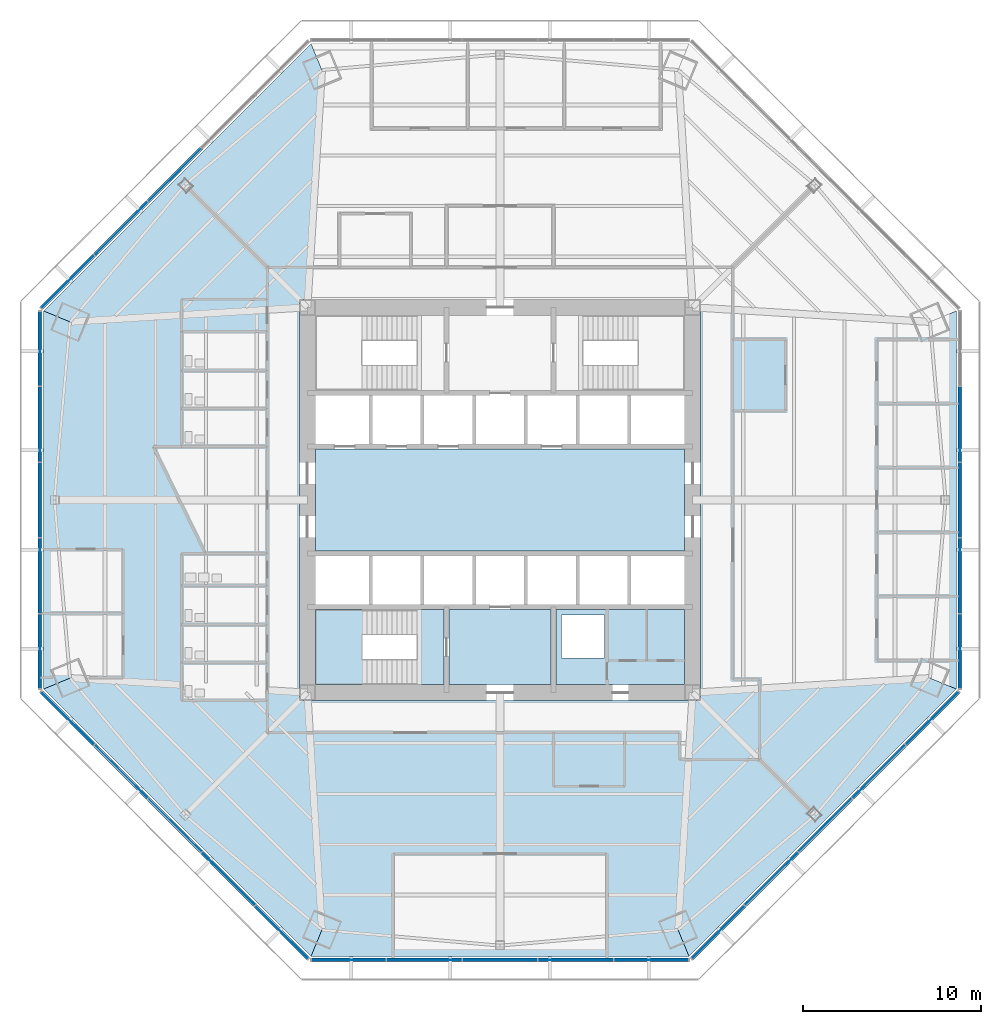
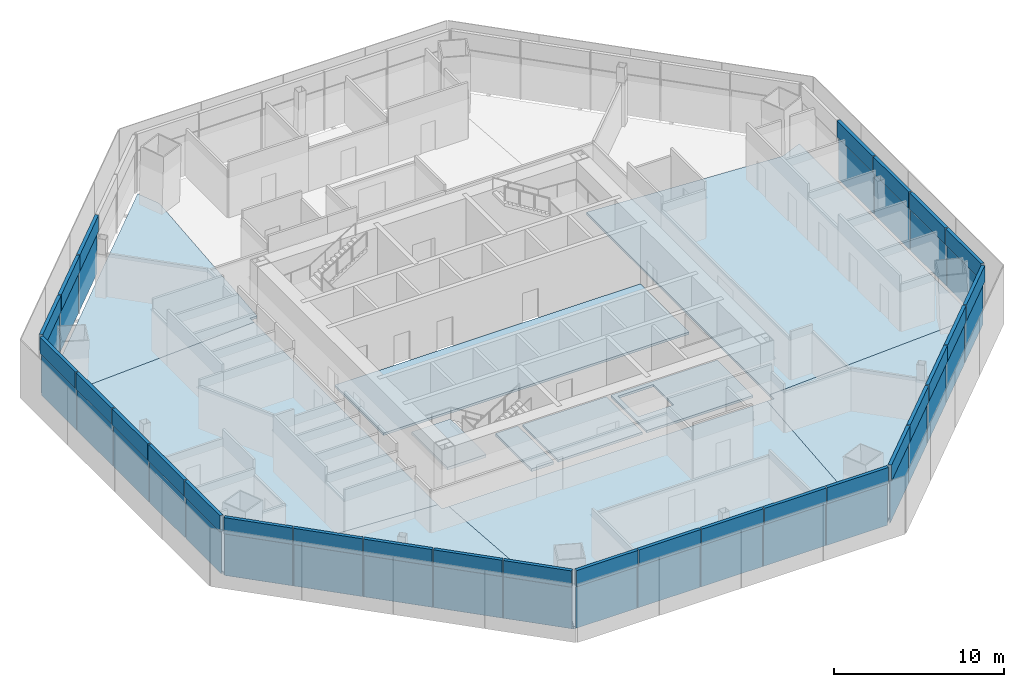
# One storey, part 8 of 16: 54 plates, 11 slabs, 7 elements without a shape of their own.
"""IFC4 building model written with IfcOpenShell, lengths in metres."""

from ifc_helpers import new_model, si_unit, direction, frame, origin, origin_2d, place, context, subcontext, project, spatial, polyline, rectangle, outline, extrude, source, transform, mapped, material, layer, layer_set, type_object, type_shapes, element, aggregate, save


model = new_model("IFC4")

# Units and contexts
model_context = context("Model", 3, precision=1e-05, world=origin(), true_north=direction((0.0, 1.0)))
body_context = subcontext(model_context, "Body", "Model", "MODEL_VIEW")
ifc_project = project(units=[si_unit("LENGTHUNIT", "METRE"), si_unit("AREAUNIT", "SQUARE_METRE"), si_unit("VOLUMEUNIT", "CUBIC_METRE"), si_unit("PLANEANGLEUNIT", "RADIAN"), si_unit("MASSUNIT", "GRAM", prefix="KILO")], contexts=[model_context])

# Site, building, storey
site_placement = place(None, origin())
site = spatial("IfcSite", under=ifc_project, at=site_placement, CompositionType="ELEMENT")
building_placement = place(site_placement, origin())
building = spatial("IfcBuilding", under=site, at=building_placement, Name="Mashrafa Tower", CompositionType="ELEMENT")
storey_placement = place(building_placement, frame((0.0, 0.0, 79.199951171875)))
storey = spatial("IfcBuildingStorey", under=building, at=storey_placement, Name="L17", CompositionType="ELEMENT", Elevation=79.199951171875)

# Slabs
ifc_material_1 = material(Name="Concrete C35/45", Category="concrete")
ifc_layer_1 = layer(ifc_material_1, 0.1650390625)
ifc_layer_set_1 = layer_set([ifc_layer_1], Name="Floor slab 165")
slab_type_1 = type_object("IfcSlabType", Name="Floor slab 165", PredefinedType="FLOOR", material=ifc_layer_set_1)
slab_1_placement = place(storey_placement, frame((0.0, 0.0, -0.1650390625)))
element("IfcSlab", 1, at=slab_1_placement, inside=storey, type_object=slab_type_1, Name="Floor slab L17 east bay", PredefinedType="FLOOR", context=body_context, shape_type="SweptSolid", body=[
    extrude(outline(polyline([(25.57421875, -10.59326171875), (24.1005859375, -9.98291015625), (11.25, -10.7724609375), (11.25, 10.7724609375), (24.1005859375, 9.98291015625), (25.57421875, 10.59326171875), (25.57421875, -10.59326171875)])), origin(), (0.0, 0.0, 1.0), 0.1650390625),
])
slab_2_placement = place(storey_placement, frame((0.0, 0.0, -0.1650390625)))
element("IfcSlab", 2, at=slab_2_placement, inside=storey, type_object=slab_type_1, Name="Floor slab L17 north-west bay", PredefinedType="FLOOR", context=body_context, shape_type="SweptSolid", body=[
    extrude(outline(polyline([(-25.57421875, 10.59326171875), (-10.59326171875, 25.57421875), (-10.59326171875, 25.57421875), (-9.98291015625, 24.1005859375), (-10.7724609375, 11.25), (-11.25, 11.25), (-11.25, 10.7724609375), (-24.1005859375, 9.98291015625), (-25.57421875, 10.59326171875), (-25.57421875, 10.59326171875)])), origin(), (0.0, 0.0, 1.0), 0.1650390625),
])
slab_3_placement = place(storey_placement, frame((0.0, 0.0, -0.1650390625)))
element("IfcSlab", 3, at=slab_3_placement, inside=storey, type_object=slab_type_1, Name="Floor slab L17 west bay", PredefinedType="FLOOR", context=body_context, shape_type="SweptSolid", body=[
    extrude(outline(polyline([(-25.57421875, 10.59326171875), (-24.1005859375, 9.98291015625), (-11.25, 10.7724609375), (-11.25, -10.7724609375), (-24.1005859375, -9.98291015625), (-25.57421875, -10.59326171875), (-25.57421875, 10.59326171875)])), origin(), (0.0, 0.0, 1.0), 0.1650390625),
])
slab_4_placement = place(storey_placement, frame((0.0, 0.0, -0.1650390625)))
element("IfcSlab", 4, at=slab_4_placement, inside=storey, type_object=slab_type_1, Name="Floor slab L17 south-west bay", PredefinedType="FLOOR", context=body_context, shape_type="SweptSolid", body=[
    extrude(outline(polyline([(-10.59326171875, -25.57421875), (-25.57421875, -10.59326171875), (-25.57421875, -10.59326171875), (-24.1005859375, -9.98291015625), (-11.25, -10.7724609375), (-11.25, -11.25), (-10.7724609375, -11.25), (-9.98291015625, -24.1005859375), (-10.59326171875, -25.57421875), (-10.59326171875, -25.57421875)])), origin(), (0.0, 0.0, 1.0), 0.1650390625),
])
slab_5_placement = place(storey_placement, frame((0.0, 0.0, -0.1650390625)))
element("IfcSlab", 5, at=slab_5_placement, inside=storey, type_object=slab_type_1, Name="Floor slab L17 south bay", PredefinedType="FLOOR", context=body_context, shape_type="SweptSolid", body=[
    extrude(outline(polyline([(-10.59326171875, -25.57421875), (-9.98291015625, -24.1005859375), (-10.7724609375, -11.25), (10.7724609375, -11.25), (9.98291015625, -24.1005859375), (10.59326171875, -25.57421875), (-10.59326171875, -25.57421875)])), origin(), (0.0, 0.0, 1.0), 0.1650390625),
])
slab_6_placement = place(storey_placement, frame((0.0, 0.0, -0.1650390625)))
element("IfcSlab", 6, at=slab_6_placement, inside=storey, type_object=slab_type_1, Name="Floor slab L17 south-east bay", PredefinedType="FLOOR", context=body_context, shape_type="SweptSolid", body=[
    extrude(outline(polyline([(10.59326171875, -25.57421875), (9.98291015625, -24.1005859375), (10.7724609375, -11.25), (11.25, -11.25), (11.25, -10.7724609375), (24.1005859375, -9.98291015625), (25.57421875, -10.59326171875), (25.57421875, -10.59326171875), (10.59326171875, -25.57421875), (10.59326171875, -25.57421875)])), origin(), (0.0, 0.0, 1.0), 0.1650390625),
])
slab_7_placement = place(storey_placement, frame((0.0, 0.0, -0.1650390625)))
element("IfcSlab", 7, at=slab_7_placement, inside=storey, type_object=slab_type_1, Name="Core floor lift hall L17", PredefinedType="FLOOR", context=body_context, shape_type="SweptSolid", body=[
    extrude(outline(polyline([(-10.35009765625, 2.85009765625), (10.35009765625, 2.85009765625), (10.35009765625, -2.85009765625), (-10.35009765625, -2.85009765625), (-10.35009765625, 2.85009765625)])), origin(), (0.0, 0.0, 1.0), 0.1650390625),
])
slab_8_placement = place(storey_placement, frame((0.0, 0.0, -0.1650390625)))
element("IfcSlab", 8, at=slab_8_placement, inside=storey, type_object=slab_type_1, Name="Core floor riser and electrical band L17", PredefinedType="FLOOR", context=body_context, shape_type="SweptSolid", body=[
    extrude(outline(polyline([(10.35009765625, -6.14990234375), (10.35009765625, -10.35009765625), (3.14990234375, -10.35009765625), (3.14990234375, -6.14990234375), (10.35009765625, -6.14990234375)]), holes=[polyline([(3.449951171875, -8.85009765625), (5.85009765625, -8.85009765625), (5.85009765625, -6.449951171875), (3.449951171875, -6.449951171875), (3.449951171875, -8.85009765625)])]), origin(), (0.0, 0.0, 1.0), 0.1650390625),
])
slab_9_placement = place(storey_placement, frame((0.0, 0.0, -0.1650390625)))
element("IfcSlab", 9, at=slab_9_placement, inside=storey, type_object=slab_type_1, Name="Core floor fire-fighting lobby south L17", PredefinedType="FLOOR", context=body_context, shape_type="SweptSolid", body=[
    extrude(outline(polyline([(2.85009765625, -6.14990234375), (2.85009765625, -10.35009765625), (-2.85009765625, -10.35009765625), (-2.85009765625, -6.14990234375), (2.85009765625, -6.14990234375)])), origin(), (0.0, 0.0, 1.0), 0.1650390625),
])

# Stair, slabs
ifc_material_2 = material(Name="Exit stair 1400")
stair_type = type_object("IfcStairType", Name="Exit stair 1400", PredefinedType="HALF_TURN_STAIR", material=ifc_material_2)
stair_placement = place(storey_placement, origin())
stair = element("IfcStair", 10, at=stair_placement, inside=storey, type_object=stair_type, Name="Stair S3 L17", PredefinedType="HALF_TURN_STAIR")
ifc_material_3 = material(Name="Concrete C32/40", Category="concrete")
ifc_layer_2 = layer(ifc_material_3, 0.199951171875)
ifc_layer_set_2 = layer_set([ifc_layer_2], Name="Stair landing 200")
slab_type_2 = type_object("IfcSlabType", Name="Stair landing 200", PredefinedType="LANDING", material=ifc_layer_set_2)
slab_10_placement = place(storey_placement, frame((0.0, 0.0, -0.199951171875)))
slab_10 = element("IfcSlab", 11, at=slab_10_placement, type_object=slab_type_2, Name="S3 landing 1", PredefinedType="LANDING", context=body_context, shape_type="SweptSolid", body=[
    extrude(outline(polyline([(-4.659912109375, -10.35009765625), (-3.14990234375, -10.35009765625), (-3.14990234375, -6.14990234375), (-4.659912109375, -6.14990234375), (-4.659912109375, -10.35009765625)])), origin(), (0.0, 0.0, 1.0), 0.199951171875),
])
slab_11_placement = place(storey_placement, frame((0.0, 0.0, 1.900146484375)))
slab_11 = element("IfcSlab", 12, at=slab_11_placement, type_object=slab_type_2, Name="S3 landing 2", PredefinedType="LANDING", context=body_context, shape_type="SweptSolid", body=[
    extrude(outline(polyline([(-10.35009765625, -10.35009765625), (-7.719970703125, -10.35009765625), (-7.719970703125, -6.14990234375), (-10.35009765625, -6.14990234375), (-10.35009765625, -10.35009765625)])), origin(), (0.0, 0.0, 1.0), 0.199951171875),
])
aggregate(stair, [slab_10, slab_11])

# Curtain wall, plate
ifc_material_4 = material(Name="Unitised aluminium curtain wall", Category="aluminium")
curtain_wall_type = type_object("IfcCurtainWallType", Name="Office curtain wall, zone 1 CW-A 200 deep", PredefinedType="NOTDEFINED", material=ifc_material_4)
curtain_wall_1_placement = place(storey_placement, origin())
curtain_wall_1 = element("IfcCurtainWall", 13, at=curtain_wall_1_placement, inside=storey, type_object=curtain_wall_type, Name="Office curtain wall, zone 1 L17 east", PredefinedType="NOTDEFINED")
ifc_material_5 = material(Name="Insulated double glazing, low-e, neutral", Category="glass")
ifc_layer_3 = layer(ifc_material_5, 0.028076171875)
ifc_layer_set_3 = layer_set([ifc_layer_3], Name="Vision panel CW-A 28")
plate_type_1 = type_object("IfcPlateType", Name="Vision panel CW-A 28", PredefinedType="CURTAIN_PANEL", material=ifc_layer_set_3)
shared_shape_1 = source(origin(), body_context, "Body", "SweptSolid", [
    extrude(rectangle(XDim=4.15234375, YDim=0.028076171875, at=origin_2d()), origin(), (0.0, 0.0, 1.0), 2.9599609375),
])
plate_1_placement = place(storey_placement, frame((25.774169921875, -8.4833984375, 0.0), z_axis=(0.0, 0.0, 1.0), x_axis=(0.0, 1.0, 0.0)))
plate_1 = element("IfcPlate", 14, at=plate_1_placement, type_object=plate_type_1, Name="CW-A vision panel 1", PredefinedType="CURTAIN_PANEL", context=body_context, shape_type="MappedRepresentation", body=[
    mapped(shared_shape_1, transform((0.0, 0.0, 0.0))),
])

curtain_wall_2_placement = place(storey_placement, origin())
curtain_wall_2 = element("IfcCurtainWall", 15, at=curtain_wall_2_placement, inside=storey, type_object=curtain_wall_type, Name="Office curtain wall, zone 1 L17 north-west", PredefinedType="NOTDEFINED")
plate_2_placement = place(storey_placement, frame((-24.223876953125, 12.2265625, 0.0), z_axis=(0.0, 0.0, 1.0), x_axis=(-0.707106781187, -0.707106781187, 0.0)))
plate_2 = element("IfcPlate", 16, at=plate_2_placement, type_object=plate_type_1, Name="CW-A vision panel 5", PredefinedType="CURTAIN_PANEL", context=body_context, shape_type="MappedRepresentation", body=[
    mapped(shared_shape_1, transform((0.0, 0.0, 0.0))),
])

# Curtain wall, plates
curtain_wall_3_placement = place(storey_placement, origin())
curtain_wall_3 = element("IfcCurtainWall", 17, at=curtain_wall_3_placement, inside=storey, type_object=curtain_wall_type, Name="Office curtain wall, zone 1 L17 west", PredefinedType="NOTDEFINED")
plate_3_placement = place(storey_placement, frame((-25.774169921875, 8.4833984375, 0.0), z_axis=(0.0, 0.0, 1.0), x_axis=(0.0, -1.0, 0.0)))
plate_3 = element("IfcPlate", 18, at=plate_3_placement, type_object=plate_type_1, Name="CW-A vision panel 1", PredefinedType="CURTAIN_PANEL", context=body_context, shape_type="MappedRepresentation", body=[
    mapped(shared_shape_1, transform((0.0, 0.0, 0.0))),
])
plate_4_placement = place(storey_placement, frame((-25.774169921875, -8.4833984375, 0.0), z_axis=(0.0, 0.0, 1.0), x_axis=(0.0, -1.0, 0.0)))
plate_4 = element("IfcPlate", 19, at=plate_4_placement, type_object=plate_type_1, Name="CW-A vision panel 5", PredefinedType="CURTAIN_PANEL", context=body_context, shape_type="MappedRepresentation", body=[
    mapped(shared_shape_1, transform((0.0, 0.0, 0.0))),
])

curtain_wall_4_placement = place(storey_placement, origin())
curtain_wall_4 = element("IfcCurtainWall", 20, at=curtain_wall_4_placement, inside=storey, type_object=curtain_wall_type, Name="Office curtain wall, zone 1 L17 south-west", PredefinedType="NOTDEFINED")
plate_5_placement = place(storey_placement, frame((-24.223876953125, -12.2265625, 0.0), z_axis=(0.0, 0.0, 1.0), x_axis=(0.707106781187, -0.707106781187, 0.0)))
plate_5 = element("IfcPlate", 21, at=plate_5_placement, type_object=plate_type_1, Name="CW-A vision panel 1", PredefinedType="CURTAIN_PANEL", context=body_context, shape_type="MappedRepresentation", body=[
    mapped(shared_shape_1, transform((0.0, 0.0, 0.0))),
])
plate_6_placement = place(storey_placement, frame((-12.2265625, -24.223876953125, 0.0), z_axis=(0.0, 0.0, 1.0), x_axis=(0.707106781187, -0.707106781187, 0.0)))
plate_6 = element("IfcPlate", 22, at=plate_6_placement, type_object=plate_type_1, Name="CW-A vision panel 5", PredefinedType="CURTAIN_PANEL", context=body_context, shape_type="MappedRepresentation", body=[
    mapped(shared_shape_1, transform((0.0, 0.0, 0.0))),
])

curtain_wall_5_placement = place(storey_placement, origin())
curtain_wall_5 = element("IfcCurtainWall", 23, at=curtain_wall_5_placement, inside=storey, type_object=curtain_wall_type, Name="Office curtain wall, zone 1 L17 south", PredefinedType="NOTDEFINED")
plate_7_placement = place(storey_placement, frame((-8.4833984375, -25.774169921875, 0.0), z_axis=(0.0, 0.0, 1.0), x_axis=(1.0, 0.0, 0.0)))
plate_7 = element("IfcPlate", 24, at=plate_7_placement, type_object=plate_type_1, Name="CW-A vision panel 1", PredefinedType="CURTAIN_PANEL", context=body_context, shape_type="MappedRepresentation", body=[
    mapped(shared_shape_1, transform((0.0, 0.0, 0.0))),
])
plate_8_placement = place(storey_placement, frame((8.4833984375, -25.774169921875, 0.0), z_axis=(0.0, 0.0, 1.0), x_axis=(1.0, 0.0, 0.0)))
plate_8 = element("IfcPlate", 25, at=plate_8_placement, type_object=plate_type_1, Name="CW-A vision panel 5", PredefinedType="CURTAIN_PANEL", context=body_context, shape_type="MappedRepresentation", body=[
    mapped(shared_shape_1, transform((0.0, 0.0, 0.0))),
])

curtain_wall_6_placement = place(storey_placement, origin())
curtain_wall_6 = element("IfcCurtainWall", 26, at=curtain_wall_6_placement, inside=storey, type_object=curtain_wall_type, Name="Office curtain wall, zone 1 L17 south-east", PredefinedType="NOTDEFINED")
plate_9_placement = place(storey_placement, frame((12.2265625, -24.223876953125, 0.0), z_axis=(0.0, 0.0, 1.0), x_axis=(0.707106781187, 0.707106781187, 0.0)))
plate_9 = element("IfcPlate", 27, at=plate_9_placement, type_object=plate_type_1, Name="CW-A vision panel 1", PredefinedType="CURTAIN_PANEL", context=body_context, shape_type="MappedRepresentation", body=[
    mapped(shared_shape_1, transform((0.0, 0.0, 0.0))),
])
plate_10_placement = place(storey_placement, frame((24.223876953125, -12.2265625, 0.0), z_axis=(0.0, 0.0, 1.0), x_axis=(0.707106781187, 0.707106781187, 0.0)))
plate_10 = element("IfcPlate", 28, at=plate_10_placement, type_object=plate_type_1, Name="CW-A vision panel 5", PredefinedType="CURTAIN_PANEL", context=body_context, shape_type="MappedRepresentation", body=[
    mapped(shared_shape_1, transform((0.0, 0.0, 0.0))),
])

# Plate
ifc_material_6 = material(Name="Insulated aluminium spandrel panel", Category="aluminium")
ifc_layer_4 = layer(ifc_material_6, 0.219970703125)
ifc_layer_set_4 = layer_set([ifc_layer_4], Name="Spandrel panel CW-A 220")
plate_type_2 = type_object("IfcPlateType", Name="Spandrel panel CW-A 220", PredefinedType="CURTAIN_PANEL", material=ifc_layer_set_4)
shared_shape_2 = source(origin(), body_context, "Body", "SweptSolid", [
    extrude(rectangle(XDim=4.15234375, YDim=0.219970703125, at=origin_2d()), origin(), (0.0, 0.0, 1.0), 1.159912109375),
])
plate_11_placement = place(storey_placement, frame((25.774169921875, -8.4833984375, 3.0400390625), z_axis=(0.0, 0.0, 1.0), x_axis=(0.0, 1.0, 0.0)))
plate_11 = element("IfcPlate", 29, at=plate_11_placement, type_object=plate_type_2, Name="CW-A spandrel panel 1", PredefinedType="CURTAIN_PANEL", context=body_context, shape_type="MappedRepresentation", body=[
    mapped(shared_shape_2, transform((0.0, 0.0, 0.0))),
])

plate_12_placement = place(storey_placement, frame((-24.223876953125, 12.2265625, 3.0400390625), z_axis=(0.0, 0.0, 1.0), x_axis=(-0.707106781187, -0.707106781187, 0.0)))
plate_12 = element("IfcPlate", 30, at=plate_12_placement, type_object=plate_type_2, Name="CW-A spandrel panel 5", PredefinedType="CURTAIN_PANEL", context=body_context, shape_type="MappedRepresentation", body=[
    mapped(shared_shape_2, transform((0.0, 0.0, 0.0))),
])

plate_13_placement = place(storey_placement, frame((-25.774169921875, 8.4833984375, 3.0400390625), z_axis=(0.0, 0.0, 1.0), x_axis=(0.0, -1.0, 0.0)))
plate_13 = element("IfcPlate", 31, at=plate_13_placement, type_object=plate_type_2, Name="CW-A spandrel panel 1", PredefinedType="CURTAIN_PANEL", context=body_context, shape_type="MappedRepresentation", body=[
    mapped(shared_shape_2, transform((0.0, 0.0, 0.0))),
])

plate_14_placement = place(storey_placement, frame((-25.774169921875, -8.4833984375, 3.0400390625), z_axis=(0.0, 0.0, 1.0), x_axis=(0.0, -1.0, 0.0)))
plate_14 = element("IfcPlate", 32, at=plate_14_placement, type_object=plate_type_2, Name="CW-A spandrel panel 5", PredefinedType="CURTAIN_PANEL", context=body_context, shape_type="MappedRepresentation", body=[
    mapped(shared_shape_2, transform((0.0, 0.0, 0.0))),
])

plate_15_placement = place(storey_placement, frame((-24.223876953125, -12.2265625, 3.0400390625), z_axis=(0.0, 0.0, 1.0), x_axis=(0.707106781187, -0.707106781187, 0.0)))
plate_15 = element("IfcPlate", 33, at=plate_15_placement, type_object=plate_type_2, Name="CW-A spandrel panel 1", PredefinedType="CURTAIN_PANEL", context=body_context, shape_type="MappedRepresentation", body=[
    mapped(shared_shape_2, transform((0.0, 0.0, 0.0))),
])

plate_16_placement = place(storey_placement, frame((-12.2265625, -24.223876953125, 3.0400390625), z_axis=(0.0, 0.0, 1.0), x_axis=(0.707106781187, -0.707106781187, 0.0)))
plate_16 = element("IfcPlate", 34, at=plate_16_placement, type_object=plate_type_2, Name="CW-A spandrel panel 5", PredefinedType="CURTAIN_PANEL", context=body_context, shape_type="MappedRepresentation", body=[
    mapped(shared_shape_2, transform((0.0, 0.0, 0.0))),
])

plate_17_placement = place(storey_placement, frame((-8.4833984375, -25.774169921875, 3.0400390625), z_axis=(0.0, 0.0, 1.0), x_axis=(1.0, 0.0, 0.0)))
plate_17 = element("IfcPlate", 35, at=plate_17_placement, type_object=plate_type_2, Name="CW-A spandrel panel 1", PredefinedType="CURTAIN_PANEL", context=body_context, shape_type="MappedRepresentation", body=[
    mapped(shared_shape_2, transform((0.0, 0.0, 0.0))),
])

plate_18_placement = place(storey_placement, frame((8.4833984375, -25.774169921875, 3.0400390625), z_axis=(0.0, 0.0, 1.0), x_axis=(1.0, 0.0, 0.0)))
plate_18 = element("IfcPlate", 36, at=plate_18_placement, type_object=plate_type_2, Name="CW-A spandrel panel 5", PredefinedType="CURTAIN_PANEL", context=body_context, shape_type="MappedRepresentation", body=[
    mapped(shared_shape_2, transform((0.0, 0.0, 0.0))),
])

plate_19_placement = place(storey_placement, frame((12.2265625, -24.223876953125, 3.0400390625), z_axis=(0.0, 0.0, 1.0), x_axis=(0.707106781187, 0.707106781187, 0.0)))
plate_19 = element("IfcPlate", 37, at=plate_19_placement, type_object=plate_type_2, Name="CW-A spandrel panel 1", PredefinedType="CURTAIN_PANEL", context=body_context, shape_type="MappedRepresentation", body=[
    mapped(shared_shape_2, transform((0.0, 0.0, 0.0))),
])

plate_20_placement = place(storey_placement, frame((24.223876953125, -12.2265625, 3.0400390625), z_axis=(0.0, 0.0, 1.0), x_axis=(0.707106781187, 0.707106781187, 0.0)))
plate_20 = element("IfcPlate", 38, at=plate_20_placement, type_object=plate_type_2, Name="CW-A spandrel panel 5", PredefinedType="CURTAIN_PANEL", context=body_context, shape_type="MappedRepresentation", body=[
    mapped(shared_shape_2, transform((0.0, 0.0, 0.0))),
])

shared_shape_3 = source(origin(), body_context, "Body", "SweptSolid", [
    extrude(rectangle(XDim=4.184814453125, YDim=0.028076171875, at=origin_2d()), origin(), (0.0, 0.0, 1.0), 2.9599609375),
])
type_shapes(plate_type_1, [shared_shape_1, shared_shape_3])
plate_21_placement = place(storey_placement, frame((25.774169921875, -4.249755859375, 0.0), z_axis=(0.0, 0.0, 1.0), x_axis=(0.0, 1.0, 0.0)))
plate_21 = element("IfcPlate", 39, at=plate_21_placement, type_object=plate_type_1, Name="CW-A vision panel 2", PredefinedType="CURTAIN_PANEL", context=body_context, shape_type="MappedRepresentation", body=[
    mapped(shared_shape_3, transform((0.0, 0.0, 0.0))),
])

plate_22_placement = place(storey_placement, frame((25.774169921875, 0.0, 0.0), z_axis=(0.0, 0.0, 1.0), x_axis=(0.0, 1.0, 0.0)))
plate_22 = element("IfcPlate", 40, at=plate_22_placement, type_object=plate_type_1, Name="CW-A vision panel 3", PredefinedType="CURTAIN_PANEL", context=body_context, shape_type="MappedRepresentation", body=[
    mapped(shared_shape_3, transform((0.0, 0.0, 0.0))),
])

plate_23_placement = place(storey_placement, frame((25.774169921875, 4.249755859375, 0.0), z_axis=(0.0, 0.0, 1.0), x_axis=(0.0, 1.0, 0.0)))
plate_23 = element("IfcPlate", 41, at=plate_23_placement, type_object=plate_type_1, Name="CW-A vision panel 4", PredefinedType="CURTAIN_PANEL", context=body_context, shape_type="MappedRepresentation", body=[
    mapped(shared_shape_3, transform((0.0, 0.0, 0.0))),
])

plate_24_placement = place(storey_placement, frame((-18.22509765625, 18.22509765625, 0.0), z_axis=(0.0, 0.0, 1.0), x_axis=(-0.707106781187, -0.707106781187, 0.0)))
plate_24 = element("IfcPlate", 42, at=plate_24_placement, type_object=plate_type_1, Name="CW-A vision panel 3", PredefinedType="CURTAIN_PANEL", context=body_context, shape_type="MappedRepresentation", body=[
    mapped(shared_shape_3, transform((0.0, 0.0, 0.0))),
])

plate_25_placement = place(storey_placement, frame((-21.230224609375, 15.219970703125, 0.0), z_axis=(0.0, 0.0, 1.0), x_axis=(-0.707106781187, -0.707106781187, 0.0)))
plate_25 = element("IfcPlate", 43, at=plate_25_placement, type_object=plate_type_1, Name="CW-A vision panel 4", PredefinedType="CURTAIN_PANEL", context=body_context, shape_type="MappedRepresentation", body=[
    mapped(shared_shape_3, transform((0.0, 0.0, 0.0))),
])

plate_26_placement = place(storey_placement, frame((-25.774169921875, 4.249755859375, 0.0), z_axis=(0.0, 0.0, 1.0), x_axis=(0.0, -1.0, 0.0)))
plate_26 = element("IfcPlate", 44, at=plate_26_placement, type_object=plate_type_1, Name="CW-A vision panel 2", PredefinedType="CURTAIN_PANEL", context=body_context, shape_type="MappedRepresentation", body=[
    mapped(shared_shape_3, transform((0.0, 0.0, 0.0))),
])

plate_27_placement = place(storey_placement, frame((-25.774169921875, 0.0, 0.0), z_axis=(0.0, 0.0, 1.0), x_axis=(0.0, -1.0, 0.0)))
plate_27 = element("IfcPlate", 45, at=plate_27_placement, type_object=plate_type_1, Name="CW-A vision panel 3", PredefinedType="CURTAIN_PANEL", context=body_context, shape_type="MappedRepresentation", body=[
    mapped(shared_shape_3, transform((0.0, 0.0, 0.0))),
])

plate_28_placement = place(storey_placement, frame((-25.774169921875, -4.249755859375, 0.0), z_axis=(0.0, 0.0, 1.0), x_axis=(0.0, -1.0, 0.0)))
plate_28 = element("IfcPlate", 46, at=plate_28_placement, type_object=plate_type_1, Name="CW-A vision panel 4", PredefinedType="CURTAIN_PANEL", context=body_context, shape_type="MappedRepresentation", body=[
    mapped(shared_shape_3, transform((0.0, 0.0, 0.0))),
])

plate_29_placement = place(storey_placement, frame((-21.230224609375, -15.219970703125, 0.0), z_axis=(0.0, 0.0, 1.0), x_axis=(0.707106781187, -0.707106781187, 0.0)))
plate_29 = element("IfcPlate", 47, at=plate_29_placement, type_object=plate_type_1, Name="CW-A vision panel 2", PredefinedType="CURTAIN_PANEL", context=body_context, shape_type="MappedRepresentation", body=[
    mapped(shared_shape_3, transform((0.0, 0.0, 0.0))),
])

plate_30_placement = place(storey_placement, frame((-18.22509765625, -18.22509765625, 0.0), z_axis=(0.0, 0.0, 1.0), x_axis=(0.707106781187, -0.707106781187, 0.0)))
plate_30 = element("IfcPlate", 48, at=plate_30_placement, type_object=plate_type_1, Name="CW-A vision panel 3", PredefinedType="CURTAIN_PANEL", context=body_context, shape_type="MappedRepresentation", body=[
    mapped(shared_shape_3, transform((0.0, 0.0, 0.0))),
])

plate_31_placement = place(storey_placement, frame((-15.219970703125, -21.230224609375, 0.0), z_axis=(0.0, 0.0, 1.0), x_axis=(0.707106781187, -0.707106781187, 0.0)))
plate_31 = element("IfcPlate", 49, at=plate_31_placement, type_object=plate_type_1, Name="CW-A vision panel 4", PredefinedType="CURTAIN_PANEL", context=body_context, shape_type="MappedRepresentation", body=[
    mapped(shared_shape_3, transform((0.0, 0.0, 0.0))),
])

plate_32_placement = place(storey_placement, frame((-4.249755859375, -25.774169921875, 0.0), z_axis=(0.0, 0.0, 1.0), x_axis=(1.0, 0.0, 0.0)))
plate_32 = element("IfcPlate", 50, at=plate_32_placement, type_object=plate_type_1, Name="CW-A vision panel 2", PredefinedType="CURTAIN_PANEL", context=body_context, shape_type="MappedRepresentation", body=[
    mapped(shared_shape_3, transform((0.0, 0.0, 0.0))),
])

plate_33_placement = place(storey_placement, frame((0.0, -25.774169921875, 0.0), z_axis=(0.0, 0.0, 1.0), x_axis=(1.0, 0.0, 0.0)))
plate_33 = element("IfcPlate", 51, at=plate_33_placement, type_object=plate_type_1, Name="CW-A vision panel 3", PredefinedType="CURTAIN_PANEL", context=body_context, shape_type="MappedRepresentation", body=[
    mapped(shared_shape_3, transform((0.0, 0.0, 0.0))),
])

plate_34_placement = place(storey_placement, frame((4.249755859375, -25.774169921875, 0.0), z_axis=(0.0, 0.0, 1.0), x_axis=(1.0, 0.0, 0.0)))
plate_34 = element("IfcPlate", 52, at=plate_34_placement, type_object=plate_type_1, Name="CW-A vision panel 4", PredefinedType="CURTAIN_PANEL", context=body_context, shape_type="MappedRepresentation", body=[
    mapped(shared_shape_3, transform((0.0, 0.0, 0.0))),
])

plate_35_placement = place(storey_placement, frame((15.219970703125, -21.230224609375, 0.0), z_axis=(0.0, 0.0, 1.0), x_axis=(0.707106781187, 0.707106781187, 0.0)))
plate_35 = element("IfcPlate", 53, at=plate_35_placement, type_object=plate_type_1, Name="CW-A vision panel 2", PredefinedType="CURTAIN_PANEL", context=body_context, shape_type="MappedRepresentation", body=[
    mapped(shared_shape_3, transform((0.0, 0.0, 0.0))),
])

plate_36_placement = place(storey_placement, frame((18.22509765625, -18.22509765625, 0.0), z_axis=(0.0, 0.0, 1.0), x_axis=(0.707106781187, 0.707106781187, 0.0)))
plate_36 = element("IfcPlate", 54, at=plate_36_placement, type_object=plate_type_1, Name="CW-A vision panel 3", PredefinedType="CURTAIN_PANEL", context=body_context, shape_type="MappedRepresentation", body=[
    mapped(shared_shape_3, transform((0.0, 0.0, 0.0))),
])

plate_37_placement = place(storey_placement, frame((21.230224609375, -15.219970703125, 0.0), z_axis=(0.0, 0.0, 1.0), x_axis=(0.707106781187, 0.707106781187, 0.0)))
plate_37 = element("IfcPlate", 55, at=plate_37_placement, type_object=plate_type_1, Name="CW-A vision panel 4", PredefinedType="CURTAIN_PANEL", context=body_context, shape_type="MappedRepresentation", body=[
    mapped(shared_shape_3, transform((0.0, 0.0, 0.0))),
])

shared_shape_4 = source(origin(), body_context, "Body", "SweptSolid", [
    extrude(rectangle(XDim=4.184814453125, YDim=0.219970703125, at=origin_2d()), origin(), (0.0, 0.0, 1.0), 1.159912109375),
])
type_shapes(plate_type_2, [shared_shape_2, shared_shape_4])
plate_38_placement = place(storey_placement, frame((25.774169921875, -4.249755859375, 3.0400390625), z_axis=(0.0, 0.0, 1.0), x_axis=(0.0, 1.0, 0.0)))
plate_38 = element("IfcPlate", 56, at=plate_38_placement, type_object=plate_type_2, Name="CW-A spandrel panel 2", PredefinedType="CURTAIN_PANEL", context=body_context, shape_type="MappedRepresentation", body=[
    mapped(shared_shape_4, transform((0.0, 0.0, 0.0))),
])

plate_39_placement = place(storey_placement, frame((25.774169921875, 0.0, 3.0400390625), z_axis=(0.0, 0.0, 1.0), x_axis=(0.0, 1.0, 0.0)))
plate_39 = element("IfcPlate", 57, at=plate_39_placement, type_object=plate_type_2, Name="CW-A spandrel panel 3", PredefinedType="CURTAIN_PANEL", context=body_context, shape_type="MappedRepresentation", body=[
    mapped(shared_shape_4, transform((0.0, 0.0, 0.0))),
])

plate_40_placement = place(storey_placement, frame((25.774169921875, 4.249755859375, 3.0400390625), z_axis=(0.0, 0.0, 1.0), x_axis=(0.0, 1.0, 0.0)))
plate_40 = element("IfcPlate", 58, at=plate_40_placement, type_object=plate_type_2, Name="CW-A spandrel panel 4", PredefinedType="CURTAIN_PANEL", context=body_context, shape_type="MappedRepresentation", body=[
    mapped(shared_shape_4, transform((0.0, 0.0, 0.0))),
])

aggregate(curtain_wall_1, [plate_1, plate_11, plate_21, plate_38, plate_22, plate_39, plate_23, plate_40])

plate_41_placement = place(storey_placement, frame((-18.22509765625, 18.22509765625, 3.0400390625), z_axis=(0.0, 0.0, 1.0), x_axis=(-0.707106781187, -0.707106781187, 0.0)))
plate_41 = element("IfcPlate", 59, at=plate_41_placement, type_object=plate_type_2, Name="CW-A spandrel panel 3", PredefinedType="CURTAIN_PANEL", context=body_context, shape_type="MappedRepresentation", body=[
    mapped(shared_shape_4, transform((0.0, 0.0, 0.0))),
])

plate_42_placement = place(storey_placement, frame((-21.230224609375, 15.219970703125, 3.0400390625), z_axis=(0.0, 0.0, 1.0), x_axis=(-0.707106781187, -0.707106781187, 0.0)))
plate_42 = element("IfcPlate", 60, at=plate_42_placement, type_object=plate_type_2, Name="CW-A spandrel panel 4", PredefinedType="CURTAIN_PANEL", context=body_context, shape_type="MappedRepresentation", body=[
    mapped(shared_shape_4, transform((0.0, 0.0, 0.0))),
])

aggregate(curtain_wall_2, [plate_24, plate_41, plate_25, plate_42, plate_2, plate_12])

plate_43_placement = place(storey_placement, frame((-25.774169921875, 4.249755859375, 3.0400390625), z_axis=(0.0, 0.0, 1.0), x_axis=(0.0, -1.0, 0.0)))
plate_43 = element("IfcPlate", 61, at=plate_43_placement, type_object=plate_type_2, Name="CW-A spandrel panel 2", PredefinedType="CURTAIN_PANEL", context=body_context, shape_type="MappedRepresentation", body=[
    mapped(shared_shape_4, transform((0.0, 0.0, 0.0))),
])

plate_44_placement = place(storey_placement, frame((-25.774169921875, 0.0, 3.0400390625), z_axis=(0.0, 0.0, 1.0), x_axis=(0.0, -1.0, 0.0)))
plate_44 = element("IfcPlate", 62, at=plate_44_placement, type_object=plate_type_2, Name="CW-A spandrel panel 3", PredefinedType="CURTAIN_PANEL", context=body_context, shape_type="MappedRepresentation", body=[
    mapped(shared_shape_4, transform((0.0, 0.0, 0.0))),
])

plate_45_placement = place(storey_placement, frame((-25.774169921875, -4.249755859375, 3.0400390625), z_axis=(0.0, 0.0, 1.0), x_axis=(0.0, -1.0, 0.0)))
plate_45 = element("IfcPlate", 63, at=plate_45_placement, type_object=plate_type_2, Name="CW-A spandrel panel 4", PredefinedType="CURTAIN_PANEL", context=body_context, shape_type="MappedRepresentation", body=[
    mapped(shared_shape_4, transform((0.0, 0.0, 0.0))),
])

aggregate(curtain_wall_3, [plate_3, plate_13, plate_26, plate_43, plate_27, plate_44, plate_28, plate_45, plate_4, plate_14])

plate_46_placement = place(storey_placement, frame((-21.230224609375, -15.219970703125, 3.0400390625), z_axis=(0.0, 0.0, 1.0), x_axis=(0.707106781187, -0.707106781187, 0.0)))
plate_46 = element("IfcPlate", 64, at=plate_46_placement, type_object=plate_type_2, Name="CW-A spandrel panel 2", PredefinedType="CURTAIN_PANEL", context=body_context, shape_type="MappedRepresentation", body=[
    mapped(shared_shape_4, transform((0.0, 0.0, 0.0))),
])

plate_47_placement = place(storey_placement, frame((-18.22509765625, -18.22509765625, 3.0400390625), z_axis=(0.0, 0.0, 1.0), x_axis=(0.707106781187, -0.707106781187, 0.0)))
plate_47 = element("IfcPlate", 65, at=plate_47_placement, type_object=plate_type_2, Name="CW-A spandrel panel 3", PredefinedType="CURTAIN_PANEL", context=body_context, shape_type="MappedRepresentation", body=[
    mapped(shared_shape_4, transform((0.0, 0.0, 0.0))),
])

plate_48_placement = place(storey_placement, frame((-15.219970703125, -21.230224609375, 3.0400390625), z_axis=(0.0, 0.0, 1.0), x_axis=(0.707106781187, -0.707106781187, 0.0)))
plate_48 = element("IfcPlate", 66, at=plate_48_placement, type_object=plate_type_2, Name="CW-A spandrel panel 4", PredefinedType="CURTAIN_PANEL", context=body_context, shape_type="MappedRepresentation", body=[
    mapped(shared_shape_4, transform((0.0, 0.0, 0.0))),
])

aggregate(curtain_wall_4, [plate_5, plate_15, plate_29, plate_46, plate_30, plate_47, plate_31, plate_48, plate_6, plate_16])

plate_49_placement = place(storey_placement, frame((-4.249755859375, -25.774169921875, 3.0400390625), z_axis=(0.0, 0.0, 1.0), x_axis=(1.0, 0.0, 0.0)))
plate_49 = element("IfcPlate", 67, at=plate_49_placement, type_object=plate_type_2, Name="CW-A spandrel panel 2", PredefinedType="CURTAIN_PANEL", context=body_context, shape_type="MappedRepresentation", body=[
    mapped(shared_shape_4, transform((0.0, 0.0, 0.0))),
])

plate_50_placement = place(storey_placement, frame((0.0, -25.774169921875, 3.0400390625), z_axis=(0.0, 0.0, 1.0), x_axis=(1.0, 0.0, 0.0)))
plate_50 = element("IfcPlate", 68, at=plate_50_placement, type_object=plate_type_2, Name="CW-A spandrel panel 3", PredefinedType="CURTAIN_PANEL", context=body_context, shape_type="MappedRepresentation", body=[
    mapped(shared_shape_4, transform((0.0, 0.0, 0.0))),
])

plate_51_placement = place(storey_placement, frame((4.249755859375, -25.774169921875, 3.0400390625), z_axis=(0.0, 0.0, 1.0), x_axis=(1.0, 0.0, 0.0)))
plate_51 = element("IfcPlate", 69, at=plate_51_placement, type_object=plate_type_2, Name="CW-A spandrel panel 4", PredefinedType="CURTAIN_PANEL", context=body_context, shape_type="MappedRepresentation", body=[
    mapped(shared_shape_4, transform((0.0, 0.0, 0.0))),
])

aggregate(curtain_wall_5, [plate_7, plate_17, plate_32, plate_49, plate_33, plate_50, plate_34, plate_51, plate_8, plate_18])

plate_52_placement = place(storey_placement, frame((15.219970703125, -21.230224609375, 3.0400390625), z_axis=(0.0, 0.0, 1.0), x_axis=(0.707106781187, 0.707106781187, 0.0)))
plate_52 = element("IfcPlate", 70, at=plate_52_placement, type_object=plate_type_2, Name="CW-A spandrel panel 2", PredefinedType="CURTAIN_PANEL", context=body_context, shape_type="MappedRepresentation", body=[
    mapped(shared_shape_4, transform((0.0, 0.0, 0.0))),
])

plate_53_placement = place(storey_placement, frame((18.22509765625, -18.22509765625, 3.0400390625), z_axis=(0.0, 0.0, 1.0), x_axis=(0.707106781187, 0.707106781187, 0.0)))
plate_53 = element("IfcPlate", 71, at=plate_53_placement, type_object=plate_type_2, Name="CW-A spandrel panel 3", PredefinedType="CURTAIN_PANEL", context=body_context, shape_type="MappedRepresentation", body=[
    mapped(shared_shape_4, transform((0.0, 0.0, 0.0))),
])

plate_54_placement = place(storey_placement, frame((21.230224609375, -15.219970703125, 3.0400390625), z_axis=(0.0, 0.0, 1.0), x_axis=(0.707106781187, 0.707106781187, 0.0)))
plate_54 = element("IfcPlate", 72, at=plate_54_placement, type_object=plate_type_2, Name="CW-A spandrel panel 4", PredefinedType="CURTAIN_PANEL", context=body_context, shape_type="MappedRepresentation", body=[
    mapped(shared_shape_4, transform((0.0, 0.0, 0.0))),
])

aggregate(curtain_wall_6, [plate_9, plate_19, plate_35, plate_52, plate_36, plate_53, plate_37, plate_54, plate_10, plate_20])

save(model, "model.ifc")
